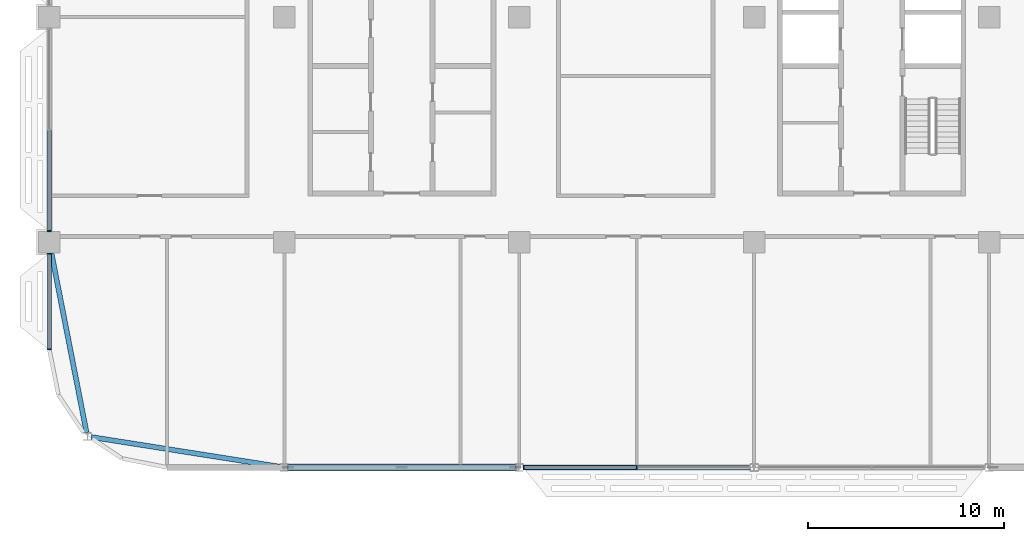
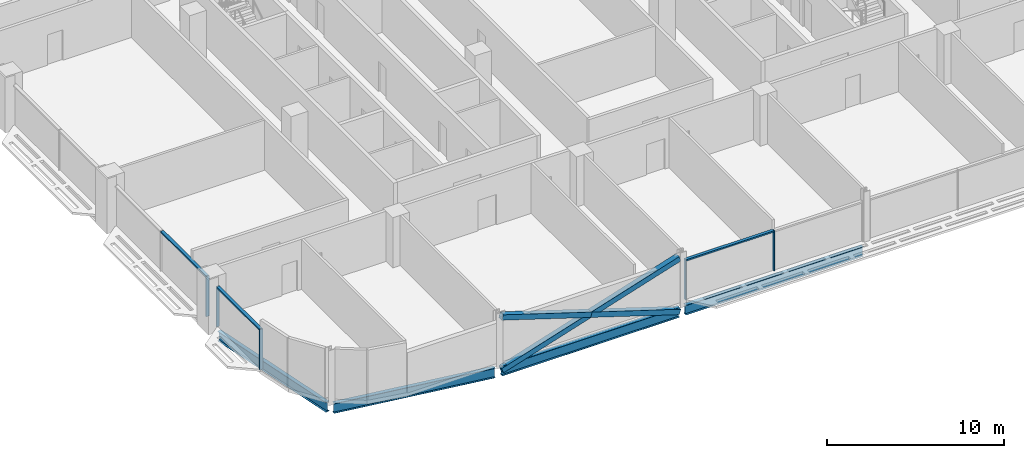
# One storey, part 4 of 29: 11 members, 4 beams, 3 elements without a shape of their own.
"""IFC4 building model written with IfcOpenShell, lengths in metres."""

import ifcopenshell
import ifcopenshell.guid

model = None  # the IFC model being written
_history = None  # IfcOwnerHistory: only IFC2X3 demands one
_inside = {}  # id of a spatial element -> (the spatial element, [elements in it])
_under = {}  # id of a project, library or spatial element -> (it, [spatial elements below it])
_declared = {}  # id of a project -> (the project, [libraries it declares])
_typed = {}  # id of a type object -> (the type object, [elements of that type])
_made_of = {}  # id of a material, layer set ... -> (it, [elements and type objects made of it])


def new_model(schema):
    """Start an empty IFC model of exactly this schema.

    Asked for "IFC4X3", IfcOpenShell would pick the latest addendum, in which some entities
    have other attributes; the version numbers below select the first issue.
    IFC2X3 requires an IfcOwnerHistory on every rooted entity: one is made here for all.
    """
    global model, _history
    if schema == "IFC4X3":
        model = ifcopenshell.file(schema_version=(4, 3, 0, 0))
    else:
        model = ifcopenshell.file(schema=schema)
    _inside.clear()
    _under.clear()
    _declared.clear()
    _typed.clear()
    _made_of.clear()
    _history = None
    if model.schema == "IFC2X3":
        org = make("IfcOrganization", Name="unknown")
        user = make(
            "IfcPersonAndOrganization",
            ThePerson=make("IfcPerson", FamilyName="unknown"),
            TheOrganization=org,
        )
        app = make(
            "IfcApplication",
            ApplicationDeveloper=org,
            Version="unknown",
            ApplicationFullName="unknown",
            ApplicationIdentifier="unknown",
        )
        _history = make(
            "IfcOwnerHistory",
            OwningUser=user,
            OwningApplication=app,
            ChangeAction="ADDED",
            CreationDate=0,
        )
    return model


def make(cls, **values):
    """One entity of the class cls with the attributes given. An attribute that is None is left unset."""
    return model.create_entity(
        cls, **{name: value for name, value in values.items() if value is not None}
    )


def rooted(cls, **values):
    """An entity with a GlobalId (a new one), such as an element, a storey or a relation."""
    return make(cls, GlobalId=ifcopenshell.guid.new(), OwnerHistory=_history, **values)


def si_unit(unit_type, name, prefix=None):
    """IfcSIUnit, for example si_unit("LENGTHUNIT", "METRE", prefix="MILLI")."""
    return make("IfcSIUnit", UnitType=unit_type, Prefix=prefix, Name=name)


def assignment(units):
    """IfcUnitAssignment: the units of a project."""
    return None if units is None else make("IfcUnitAssignment", Units=units)


def point(xyz):
    """IfcCartesianPoint."""
    return None if xyz is None else make("IfcCartesianPoint", Coordinates=xyz)


def direction(xyz):
    """IfcDirection."""
    return None if xyz is None else make("IfcDirection", DirectionRatios=xyz)


def frame(location, z_axis=None, x_axis=None):
    """IfcAxis2Placement3D, a coordinate frame: its origin and axes. An axis left out is left unset."""
    return make(
        "IfcAxis2Placement3D",
        Location=point(location),
        Axis=direction(z_axis),
        RefDirection=direction(x_axis),
    )


def frame_2d(location, x_axis=None):
    """IfcAxis2Placement2D, a coordinate frame in the plane: its origin and x axis."""
    return make(
        "IfcAxis2Placement2D", Location=point(location), RefDirection=direction(x_axis)
    )


def origin():
    """The frame at (0, 0, 0) with its axes left unset."""
    return frame((0.0, 0.0, 0.0))


def origin_2d():
    """The frame at (0, 0) in the plane with its x axis left unset."""
    return frame_2d((0.0, 0.0))


def place(relative_to, where):
    """IfcLocalPlacement: puts the frame where relative to a parent placement (None: the world)."""
    return make(
        "IfcLocalPlacement", PlacementRelTo=relative_to, RelativePlacement=where
    )


def context(
    kind, dimensions, precision=None, world=None, true_north=None, identifier=None
):
    """IfcGeometricRepresentationContext, for example the 3D "Model" context."""
    return make(
        "IfcGeometricRepresentationContext",
        ContextIdentifier=identifier,
        ContextType=kind,
        CoordinateSpaceDimension=dimensions,
        Precision=precision,
        WorldCoordinateSystem=world,
        TrueNorth=true_north,
    )


def subcontext(parent, identifier, kind, view, scale=None):
    """IfcGeometricRepresentationSubContext, for example "Body" below "Model"."""
    return make(
        "IfcGeometricRepresentationSubContext",
        ContextIdentifier=identifier,
        ContextType=kind,
        ParentContext=parent,
        TargetScale=scale,
        TargetView=view,
    )


def project(units=None, contexts=None):
    """IfcProject with its units and contexts."""
    return rooted(
        "IfcProject",
        Name="project",
        RepresentationContexts=contexts,
        UnitsInContext=assignment(units),
    )


def spatial(cls, under=None, at=None, **own):
    """A site, building, storey or space (cls), placed at a placement, below another one or the project."""
    s = rooted(cls, ObjectPlacement=at, **own)
    if under is not None:
        _under.setdefault(under.id(), (under, []))[1].append(s)
    return s


def profile(cls, at=None, kind="AREA", **sizes):
    """A parametric profile (cls). Its sizes go by their IFC names, for example OverallWidth=200.0."""
    return make(cls, ProfileType=kind, Position=at, **sizes)


def rectangle(**sizes):
    """IfcRectangleProfileDef."""
    return profile("IfcRectangleProfileDef", **sizes)


def hollow_rectangle(**sizes):
    """IfcRectangleHollowProfileDef."""
    return profile("IfcRectangleHollowProfileDef", **sizes)


def i_section(**sizes):
    """IfcIShapeProfileDef."""
    return profile("IfcIShapeProfileDef", **sizes)


def extrude(swept, where, along, depth):
    """IfcExtrudedAreaSolid: the profile swept, set in the frame where, extruded along a direction by depth."""
    return make(
        "IfcExtrudedAreaSolid",
        SweptArea=swept,
        Position=where,
        ExtrudedDirection=direction(along),
        Depth=depth,
    )


def shape(context_of_items, identifier, shape_type, items):
    """IfcShapeRepresentation: the items that make up one representation, for example the "Body"."""
    return make(
        "IfcShapeRepresentation",
        ContextOfItems=context_of_items,
        RepresentationIdentifier=identifier,
        RepresentationType=shape_type,
        Items=items,
    )


def material(Name=None, Category=None):
    """IfcMaterial."""
    return make("IfcMaterial", Name=Name, Category=Category)


def material_profile(
    of_material, cross_section, Name=None, Category=None, Priority=None
):
    """IfcMaterialProfile: a cross section and its material."""
    return make(
        "IfcMaterialProfile",
        Name=Name,
        Material=of_material,
        Profile=cross_section,
        Priority=Priority,
        Category=Category,
    )


def profile_set(profiles, Name=None, composite=None):
    """IfcMaterialProfileSet."""
    return make(
        "IfcMaterialProfileSet",
        Name=Name,
        MaterialProfiles=profiles,
        CompositeProfile=composite,
    )


def made_of(thing, what):
    """Note that an element or type object is made of a material, layer set ...; save() writes the relation."""
    if what is not None:
        _made_of.setdefault(what.id(), (what, []))[1].append(thing)
    return thing


def type_object(cls, material=None, **own):
    """A type object (cls), such as IfcWallType, which elements share."""
    return made_of(rooted(cls, **own), material)


def element(
    cls,
    number,
    at=None,
    inside=None,
    cuts=None,
    type_object=None,
    material=None,
    context=None,
    identifier="Body",
    shape_type=None,
    held_by="IfcProductDefinitionShape",
    body=None,
    shapes=None,
    **own,
):
    """One element of the class cls, such as IfcWall. Its Tag is "e" and its number.

    at: its placement. inside: the storey or other place that contains it. cuts: it is an
    opening in that element (IfcRelVoidsElement). A single representation is given by context,
    identifier, shape_type and body (its items); several are given by shapes. held_by: the class
    of the entity that holds the representations. save() writes the other relations.
    """
    e = rooted(cls, Tag="e%d" % number, ObjectPlacement=at, **own)
    if body is not None:
        shapes = [shape(context, identifier, shape_type, body)]
    if shapes is not None:
        e.Representation = make(held_by, Representations=shapes)
    if inside is not None:
        _inside.setdefault(inside.id(), (inside, []))[1].append(e)
    if cuts is not None:
        rooted(
            "IfcRelVoidsElement", RelatingBuildingElement=cuts, RelatedOpeningElement=e
        )
    if type_object is not None:
        _typed.setdefault(type_object.id(), (type_object, []))[1].append(e)
    return made_of(e, material)


def aggregate(whole, parts):
    """IfcRelAggregates: a whole, such as a stair, and the parts it consists of."""
    return rooted("IfcRelAggregates", RelatingObject=whole, RelatedObjects=parts)


def save(model, path):
    """Write the relations noted so far, then the file.

    IfcRelAggregates (storeys below a building ...), IfcRelContainedInSpatialStructure (elements
    in a storey), IfcRelDefinesByType, IfcRelAssociatesMaterial and IfcRelDeclares: one each for
    every whole, place, type object, material and project.
    """
    for whole, parts in _under.values():
        aggregate(whole, parts)
    for where, things in _inside.values():
        rooted(
            "IfcRelContainedInSpatialStructure",
            RelatedElements=things,
            RelatingStructure=where,
        )
    for kind, things in _typed.values():
        rooted("IfcRelDefinesByType", RelatedObjects=things, RelatingType=kind)
    for what, things in _made_of.values():
        rooted("IfcRelAssociatesMaterial", RelatedObjects=things, RelatingMaterial=what)
    for by, libraries in _declared.values():
        rooted("IfcRelDeclares", RelatingContext=by, RelatedDefinitions=libraries)
    model.write(path)


model = new_model("IFC4")

# Units and contexts
model_context = context("Model", 3, precision=1e-05, world=origin(), true_north=direction((0.0, 1.0)))
body_context = subcontext(model_context, "Body", "Model", "MODEL_VIEW")
ifc_project = project(units=[si_unit("LENGTHUNIT", "METRE"), si_unit("AREAUNIT", "SQUARE_METRE"), si_unit("VOLUMEUNIT", "CUBIC_METRE"), si_unit("PLANEANGLEUNIT", "RADIAN"), si_unit("MASSUNIT", "GRAM", prefix="KILO")], contexts=[model_context])

# Site, building, storey
site_placement = place(None, origin())
site = spatial("IfcSite", under=ifc_project, at=site_placement, CompositionType="ELEMENT")
building_placement = place(site_placement, origin())
building = spatial("IfcBuilding", under=site, at=building_placement, Name="Mahtab Terrace Research Tower", CompositionType="ELEMENT")
storey_placement = place(building_placement, frame((0.0, 0.0, 197.699951171875)))
storey = spatial("IfcBuildingStorey", under=building, at=storey_placement, Name="L47", CompositionType="ELEMENT", Elevation=197.699951171875)

# Members
ifc_material_1 = material(Name="Steel ASTM A500 Gr C", Category="steel")
ifc_material_profile_1 = material_profile(ifc_material_1, hollow_rectangle(XDim=0.355712890625, YDim=0.355712890625, WallThickness=0.015869140625, at=origin_2d()), Name="HSS14X14X5/8")
ifc_profile_set_1 = profile_set([ifc_material_profile_1], Name="Steel ASTM A500 Gr C")
member_type_1 = type_object("IfcMemberType", Name="HSS 14x14x5/8 brace XB141458", PredefinedType="BRACE", material=ifc_profile_set_1)
member_1_placement = place(storey_placement, frame((-29.79931640625, -23.0, -0.615478515625), z_axis=(0.953343380425, 0.0, 0.301888057067), x_axis=(0.0, 1.0, 0.0)))
element("IfcMember", 1, at=member_1_placement, inside=storey, type_object=member_type_1, Name="Exoskeleton brace L47 14 a", PredefinedType="BRACE", context=body_context, shape_type="SweptSolid", body=[
    extrude(hollow_rectangle(XDim=0.355712890625, YDim=0.355712890625, WallThickness=0.015869140625, at=origin_2d()), origin(), (0.0, 0.0, 1.0), 12.166259765625),
])
for number, where, z_axis, x_axis, name in (
    (2, (-18.20068359375, -23.0, -0.615478515625), (-0.953343380425, 0.0, 0.301888057067), (0.0, -1.0, 0.0), "Exoskeleton brace L47 14 b1"),
    (3, (-24.0, -23.0, 1.220947265625), (-0.953343380425, 0.0, 0.301888057067), (0.0, -1.0, 0.0), "Exoskeleton brace L47 14 b2"),
):
    element("IfcMember", number, at=place(storey_placement, frame(where, z_axis=z_axis, x_axis=x_axis)), inside=storey, type_object=member_type_1, Name=name, PredefinedType="BRACE", context=body_context, shape_type="SweptSolid", body=[
        extrude(hollow_rectangle(XDim=0.355712890625, YDim=0.355712890625, WallThickness=0.015869140625, at=origin_2d()), origin(), (0.0, 0.0, 1.0), 6.083251953125),
    ])

# Curtain wall, member
ifc_material_2 = material(Name="Laboratory ribbon curtain wall")
curtain_wall_type = type_object("IfcCurtainWallType", Name="Laboratory ribbon curtain wall", PredefinedType="NOTDEFINED", material=ifc_material_2)
curtain_wall_1_placement = place(storey_placement, origin())
curtain_wall_1 = element("IfcCurtainWall", 4, at=curtain_wall_1_placement, inside=storey, type_object=curtain_wall_type, Name="EN.L47.8.17", PredefinedType="NOTDEFINED")
ifc_material_3 = material(Name="Natural anodised aluminium", Category="aluminium")
ifc_material_profile_2 = material_profile(ifc_material_3, rectangle(XDim=0.199951171875, YDim=0.06494140625, at=origin_2d()), Name="MULLION 65x200")
ifc_profile_set_2 = profile_set([ifc_material_profile_2], Name="Natural anodised aluminium")
member_type_2 = type_object("IfcMemberType", Name="Laboratory ribbon curtain wall mullion", PredefinedType="MULLION", material=ifc_profile_set_2)
member_2_placement = place(storey_placement, frame((-42.0, -10.91748046875, 0.0), z_axis=(0.0, 0.0, 1.0), x_axis=(1.0, 0.0, 0.0)))
member_2 = element("IfcMember", 5, at=member_2_placement, type_object=member_type_2, Name="CWL-6 mullion 3", PredefinedType="MULLION", context=body_context, shape_type="SweptSolid", body=[
    extrude(rectangle(XDim=0.199951171875, YDim=0.06494140625, at=origin_2d()), origin(), (0.0, 0.0, 1.0), 2.78173828125),
])

# Curtain wall, members
curtain_wall_2_placement = place(storey_placement, origin())
curtain_wall_2 = element("IfcCurtainWall", 6, at=curtain_wall_2_placement, inside=storey, type_object=curtain_wall_type, Name="EN.L47.8.18", PredefinedType="NOTDEFINED")
member_3_placement = place(storey_placement, frame((-42.0, -12.08251953125, 0.0), z_axis=(0.0, 0.0, 1.0), x_axis=(1.0, 0.0, 0.0)))
member_3 = element("IfcMember", 7, at=member_3_placement, type_object=member_type_2, Name="CWL-6 mullion 1", PredefinedType="MULLION", context=body_context, shape_type="SweptSolid", body=[
    extrude(rectangle(XDim=0.199951171875, YDim=0.06494140625, at=origin_2d()), origin(), (0.0, 0.0, 1.0), 2.78173828125),
])
member_4_placement = place(storey_placement, frame((-42.0, -16.967529296875, 0.0), z_axis=(0.0, 0.0, 1.0), x_axis=(1.0, 0.0, 0.0)))
member_4 = element("IfcMember", 8, at=member_4_placement, type_object=member_type_2, Name="CWL-6 mullion 2", PredefinedType="MULLION", context=body_context, shape_type="SweptSolid", body=[
    extrude(rectangle(XDim=0.199951171875, YDim=0.06494140625, at=origin_2d()), origin(), (0.0, 0.0, 1.0), 2.78173828125),
])

curtain_wall_3_placement = place(storey_placement, origin())
curtain_wall_3 = element("IfcCurtainWall", 9, at=curtain_wall_3_placement, inside=storey, type_object=curtain_wall_type, Name="EN.L47.13.25", PredefinedType="NOTDEFINED")
member_5_placement = place(storey_placement, frame((-17.767578125, -23.0, 0.0), z_axis=(0.0, 0.0, 1.0), x_axis=(0.0, 1.0, 0.0)))
member_5 = element("IfcMember", 10, at=member_5_placement, type_object=member_type_2, Name="CWL-6 mullion 1", PredefinedType="MULLION", context=body_context, shape_type="SweptSolid", body=[
    extrude(rectangle(XDim=0.199951171875, YDim=0.06494140625, at=origin_2d()), origin(), (0.0, 0.0, 1.0), 2.78173828125),
])
member_6_placement = place(storey_placement, frame((-12.0, -23.0, 0.0), z_axis=(0.0, 0.0, 1.0), x_axis=(0.0, 1.0, 0.0)))
member_6 = element("IfcMember", 11, at=member_6_placement, type_object=member_type_2, Name="CWL-6 mullion 2", PredefinedType="MULLION", context=body_context, shape_type="SweptSolid", body=[
    extrude(rectangle(XDim=0.199951171875, YDim=0.06494140625, at=origin_2d()), origin(), (0.0, 0.0, 1.0), 2.78173828125),
])

# Member
ifc_material_profile_3 = material_profile(ifc_material_3, rectangle(XDim=0.199951171875, YDim=0.10009765625, at=origin_2d()), Name="TRANSOM 100x200")
ifc_profile_set_3 = profile_set([ifc_material_profile_3], Name="Natural anodised aluminium")
member_type_3 = type_object("IfcMemberType", Name="Laboratory ribbon curtain wall transom", PredefinedType="USERDEFINED", material=ifc_profile_set_3)
member_7_placement = place(storey_placement, frame((-42.0, -5.782470703125, 2.73193359375), z_axis=(0.0, -1.0, 0.0), x_axis=(1.0, 0.0, 0.0)))
member_7 = element("IfcMember", 12, at=member_7_placement, type_object=member_type_3, Name="CWL-6 transom 2", ObjectType="TRANSOM", PredefinedType="USERDEFINED", context=body_context, shape_type="SweptSolid", body=[
    extrude(rectangle(XDim=0.199951171875, YDim=0.10009765625, at=origin_2d()), origin(), (0.0, 0.0, 1.0), 5.1025390625),
])

aggregate(curtain_wall_1, [member_2, member_7])

member_8_placement = place(storey_placement, frame((-42.0, -12.114990234375, 2.73193359375), z_axis=(0.0, -1.0, 0.0), x_axis=(1.0, 0.0, 0.0)))
member_8 = element("IfcMember", 13, at=member_8_placement, type_object=member_type_3, Name="CWL-6 transom 1", ObjectType="TRANSOM", PredefinedType="USERDEFINED", context=body_context, shape_type="SweptSolid", body=[
    extrude(rectangle(XDim=0.199951171875, YDim=0.10009765625, at=origin_2d()), origin(), (0.0, 0.0, 1.0), 4.820068359375),
])

aggregate(curtain_wall_2, [member_3, member_4, member_8])

member_9_placement = place(storey_placement, frame((-17.735107421875, -23.0, 2.73193359375), z_axis=(1.0, 0.0, 0.0), x_axis=(0.0, 1.0, 0.0)))
member_9 = element("IfcMember", 14, at=member_9_placement, type_object=member_type_3, Name="CWL-6 transom 1", ObjectType="TRANSOM", PredefinedType="USERDEFINED", context=body_context, shape_type="SweptSolid", body=[
    extrude(rectangle(XDim=0.199951171875, YDim=0.10009765625, at=origin_2d()), origin(), (0.0, 0.0, 1.0), 5.70263671875),
])

aggregate(curtain_wall_3, [member_5, member_6, member_9])

# Beams
ifc_material_4 = material(Name="Steel ASTM A992 Gr 50", Category="steel")
ifc_material_profile_4 = material_profile(ifc_material_4, i_section(OverallWidth=0.25390625, OverallDepth=0.67822265625, WebThickness=0.01171875, FlangeThickness=0.016357421875, at=origin_2d()), Name="W27X84")
ifc_profile_set_4 = profile_set([ifc_material_profile_4], Name="Steel ASTM A992 Gr 50")
beam_type = type_object("IfcBeamType", Name="W27x84 beam BS2784", PredefinedType="BEAM", material=ifc_profile_set_4)
beam_1_placement = place(storey_placement, frame((-41.892578125, -12.050048828125, -0.678955078125), z_axis=(0.191811291145, -0.981431825747, 0.0), x_axis=(0.981431825747, 0.191811291145, 0.0)))
element("IfcBeam", 15, at=beam_1_placement, inside=storey, type_object=beam_type, Name="Spandrel beam L47 12", PredefinedType="BEAM", context=body_context, shape_type="SweptSolid", body=[
    extrude(i_section(OverallWidth=0.25390625, OverallDepth=0.67822265625, WebThickness=0.01171875, FlangeThickness=0.016357421875, at=origin_2d()), origin(), (0.0, 0.0, 1.0), 9.33984375),
])
beam_2_placement = place(storey_placement, frame((-39.861328125, -21.447509765625, -0.678955078125), z_axis=(0.987831689273, -0.155526697604, 0.0), x_axis=(0.155526697604, 0.987831689273, 0.0)))
element("IfcBeam", 16, at=beam_2_placement, inside=storey, type_object=beam_type, Name="Spandrel beam L47 13", PredefinedType="BEAM", context=body_context, shape_type="SweptSolid", body=[
    extrude(i_section(OverallWidth=0.25390625, OverallDepth=0.67822265625, WebThickness=0.01171875, FlangeThickness=0.016357421875, at=origin_2d()), origin(), (0.0, 0.0, 1.0), 9.779541015625),
])
for number, where, z_axis, x_axis, name in (
    (17, (-29.79931640625, -23.0, -0.678955078125), (1.0, 0.0, 0.0), (0.0, 1.0, 0.0), "Spandrel beam L47 14"),
    (18, (-17.79931640625, -23.0, -0.678955078125), (1.0, 0.0, 0.0), (0.0, 1.0, 0.0), "Spandrel beam L47 15"),
):
    element("IfcBeam", number, at=place(storey_placement, frame(where, z_axis=z_axis, x_axis=x_axis)), inside=storey, type_object=beam_type, Name=name, PredefinedType="BEAM", context=body_context, shape_type="SweptSolid", body=[
        extrude(i_section(OverallWidth=0.25390625, OverallDepth=0.67822265625, WebThickness=0.01171875, FlangeThickness=0.016357421875, at=origin_2d()), origin(), (0.0, 0.0, 1.0), 11.5986328125),
    ])

save(model, "model.ifc")
